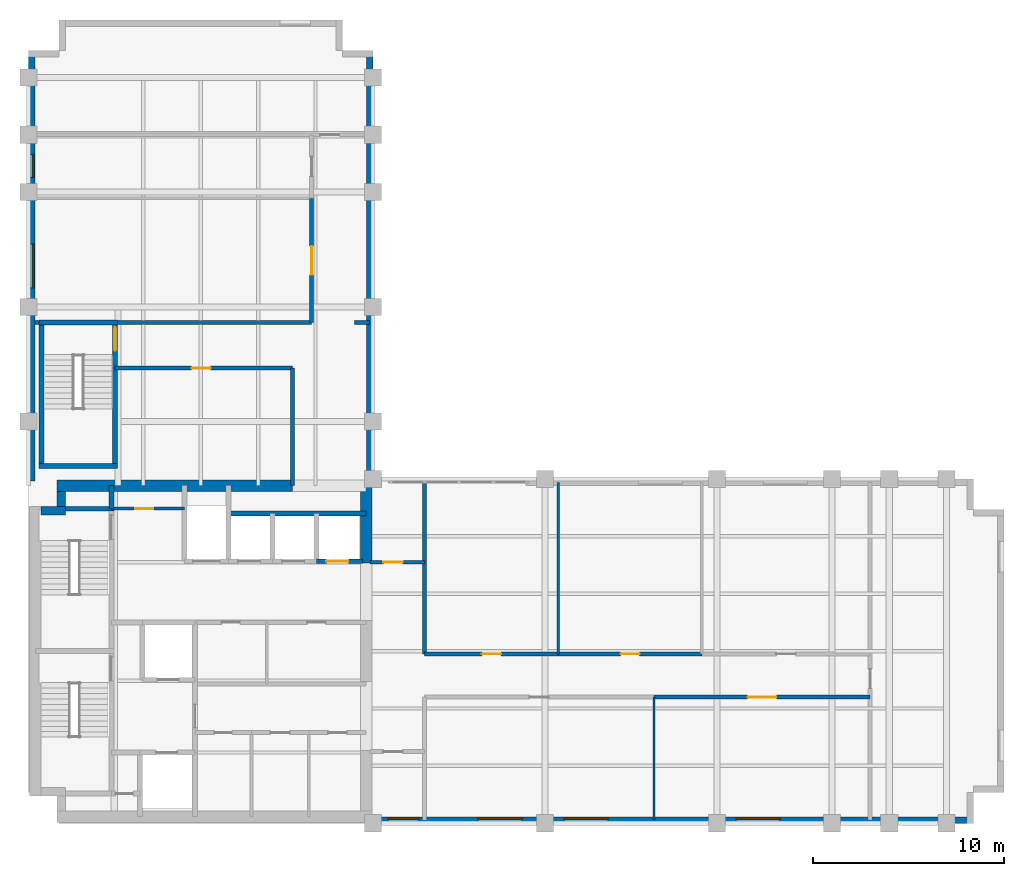
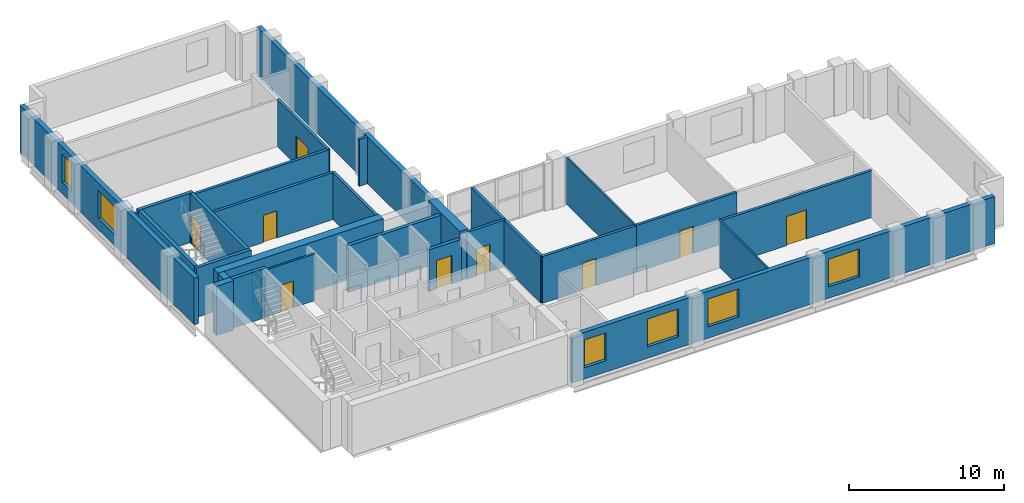
# One storey, part 5 of 7: 29 walls, 9 doors, 6 windows, 15 openings.
"""IFC4 building model written with IfcOpenShell, lengths in metres."""

from ifc_helpers import new_model, si_unit, direction, frame, frame_2d, origin, place, context, subcontext, project, spatial, rectangle, extrude, material, layer, layer_set, type_object, element, fill, save


model = new_model("IFC4")

# Units and contexts
model_context = context("Model", 3, precision=1e-05, world=origin(), true_north=direction((0.0, 1.0)))
body_context = subcontext(model_context, "Body", "Model", "MODEL_VIEW")
ifc_project = project(units=[si_unit("LENGTHUNIT", "METRE"), si_unit("AREAUNIT", "SQUARE_METRE"), si_unit("VOLUMEUNIT", "CUBIC_METRE"), si_unit("PLANEANGLEUNIT", "RADIAN"), si_unit("MASSUNIT", "GRAM", prefix="KILO")], contexts=[model_context])

# Site, building, storey
site_placement = place(None, origin())
site = spatial("IfcSite", under=ifc_project, at=site_placement, CompositionType="ELEMENT")
building_placement = place(site_placement, origin())
building = spatial("IfcBuilding", under=site, at=building_placement, Name="Mawjdan Bourse Tower", CompositionType="ELEMENT")
storey_placement = place(building_placement, frame((0.0, 0.0, 172.199951171875)))
storey = spatial("IfcBuildingStorey", under=building, at=storey_placement, Name="L41", CompositionType="ELEMENT", Elevation=172.199951171875)

# Wall, openings, windows
ifc_material_1 = material(Name="Brick Masonry Buff", Category="masonry")
ifc_layer_1 = layer(ifc_material_1, 0.340087890625)
ifc_layer_set_1 = layer_set([ifc_layer_1], Name="Brick Masonry Buff")
wall_type_1 = type_object("IfcWallType", Name="WL-BRK-SPN-340", PredefinedType="STANDARD", material=ifc_layer_set_1)
wall_1_placement = place(storey_placement, frame((23.89990234375, 3.169921875, 0.0), z_axis=(0.0, 0.0, 1.0), x_axis=(1.0, 0.0, 0.0)))
wall_1 = element("IfcWall", 1, at=wall_1_placement, inside=storey, type_object=wall_type_1, Name="L41 Exterior Brick Wall 1", PredefinedType="STANDARD", context=body_context, shape_type="SweptSolid", body=[
    extrude(rectangle(XDim=31.5, YDim=0.340087890625, at=frame_2d((15.75, 0.0))), origin(), (0.0, 0.0, 1.0), 3.699951171875),
])
opening_1_placement = place(wall_1_placement, frame((5.60009765625, 0.0, 0.89990234375)))
opening_1 = element("IfcOpeningElement", 2, at=opening_1_placement, cuts=wall_1, Name="Opening W-L41-01", PredefinedType="OPENING", context=body_context, shape_type="SweptSolid", body=[
    extrude(rectangle(XDim=2.300048828125, YDim=2.199951171875, at=frame_2d((1.14990234375, 1.10009765625))), frame((0.0, 0.18017578125, 0.0), z_axis=(0.0, -1.0, 0.0), x_axis=(1.0, 0.0, 0.0)), (0.0, 0.0, 1.0), 0.360107421875),
])
opening_2_placement = place(wall_1_placement, frame((10.10009765625, 0.0, 0.89990234375)))
opening_2 = element("IfcOpeningElement", 3, at=opening_2_placement, cuts=wall_1, Name="Opening W-L41-02", PredefinedType="OPENING", context=body_context, shape_type="SweptSolid", body=[
    extrude(rectangle(XDim=2.300048828125, YDim=2.199951171875, at=frame_2d((1.14990234375, 1.10009765625))), frame((0.0, 0.18017578125, 0.0), z_axis=(0.0, -1.0, 0.0), x_axis=(1.0, 0.0, 0.0)), (0.0, 0.0, 1.0), 0.360107421875),
])
opening_3_placement = place(wall_1_placement, frame((19.10009765625, 0.0, 0.89990234375)))
opening_3 = element("IfcOpeningElement", 4, at=opening_3_placement, cuts=wall_1, Name="Opening W-L41-03", PredefinedType="OPENING", context=body_context, shape_type="SweptSolid", body=[
    extrude(rectangle(XDim=2.300048828125, YDim=2.199951171875, at=frame_2d((1.14990234375, 1.10009765625))), frame((0.0, 0.18017578125, 0.0), z_axis=(0.0, -1.0, 0.0), x_axis=(1.0, 0.0, 0.0)), (0.0, 0.0, 1.0), 0.360107421875),
])
opening_4_placement = place(wall_1_placement, frame((0.89990234375, 0.0, 0.89990234375)))
opening_4 = element("IfcOpeningElement", 5, at=opening_4_placement, cuts=wall_1, Name="Opening W-L41-09", PredefinedType="OPENING", context=body_context, shape_type="SweptSolid", body=[
    extrude(rectangle(XDim=1.60009765625, YDim=2.199951171875, at=frame_2d((0.800048828125, 1.10009765625))), frame((0.0, 0.18017578125, 0.0), z_axis=(0.0, -1.0, 0.0), x_axis=(1.0, 0.0, 0.0)), (0.0, 0.0, 1.0), 0.360107421875),
])
ifc_material_2 = material(Name="Solar-Control Clear Double Glazing", Category="glass")
window_type_1 = type_object("IfcWindowType", Name="WN-Z3-1600", PartitioningType="SINGLE_PANEL", PredefinedType="WINDOW", material=ifc_material_2)
window_1_placement = place(opening_4_placement, origin())
window_1 = element("IfcWindow", 6, at=window_1_placement, inside=storey, type_object=window_type_1, Name="L41 Deep-Set Masonry Window W-L41-09", OverallHeight=2.199951171875, OverallWidth=1.60009765625, PartitioningType="SINGLE_PANEL", PredefinedType="WINDOW", context=body_context, shape_type="SweptSolid", body=[
    extrude(rectangle(XDim=1.60009765625, YDim=2.199951171875, at=frame_2d((0.800048828125, 1.10009765625))), frame((0.0, 0.110107421875, 0.0), z_axis=(0.0, -1.0, 0.0), x_axis=(1.0, 0.0, 0.0)), (0.0, 0.0, 1.0), 0.06005859375),
])
fill(opening_4, window_1)
window_type_2 = type_object("IfcWindowType", Name="WN-Z3-2300", PartitioningType="SINGLE_PANEL", PredefinedType="WINDOW", material=ifc_material_2)
window_2_placement = place(opening_1_placement, origin())
window_2 = element("IfcWindow", 7, at=window_2_placement, inside=storey, type_object=window_type_2, Name="L41 Deep-Set Masonry Window W-L41-01", OverallHeight=2.199951171875, OverallWidth=2.300048828125, PartitioningType="SINGLE_PANEL", PredefinedType="WINDOW", context=body_context, shape_type="SweptSolid", body=[
    extrude(rectangle(XDim=2.300048828125, YDim=2.199951171875, at=frame_2d((1.14990234375, 1.10009765625))), frame((0.0, 0.110107421875, 0.0), z_axis=(0.0, -1.0, 0.0), x_axis=(1.0, 0.0, 0.0)), (0.0, 0.0, 1.0), 0.06005859375),
])
fill(opening_1, window_2)
window_3_placement = place(opening_2_placement, origin())
window_3 = element("IfcWindow", 8, at=window_3_placement, inside=storey, type_object=window_type_2, Name="L41 Deep-Set Masonry Window W-L41-02", OverallHeight=2.199951171875, OverallWidth=2.300048828125, PartitioningType="SINGLE_PANEL", PredefinedType="WINDOW", context=body_context, shape_type="SweptSolid", body=[
    extrude(rectangle(XDim=2.300048828125, YDim=2.199951171875, at=frame_2d((1.14990234375, 1.10009765625))), frame((0.0, 0.110107421875, 0.0), z_axis=(0.0, -1.0, 0.0), x_axis=(1.0, 0.0, 0.0)), (0.0, 0.0, 1.0), 0.06005859375),
])
fill(opening_2, window_3)
window_4_placement = place(opening_3_placement, origin())
window_4 = element("IfcWindow", 9, at=window_4_placement, inside=storey, type_object=window_type_2, Name="L41 Deep-Set Masonry Window W-L41-03", OverallHeight=2.199951171875, OverallWidth=2.300048828125, PartitioningType="SINGLE_PANEL", PredefinedType="WINDOW", context=body_context, shape_type="SweptSolid", body=[
    extrude(rectangle(XDim=2.300048828125, YDim=2.199951171875, at=frame_2d((1.14990234375, 1.10009765625))), frame((0.0, 0.110107421875, 0.0), z_axis=(0.0, -1.0, 0.0), x_axis=(1.0, 0.0, 0.0)), (0.0, 0.0, 1.0), 0.06005859375),
])
fill(opening_3, window_4)

# Wall
wall_2_placement = place(storey_placement, frame((23.830078125, 21.0, 0.0), z_axis=(0.0, 0.0, 1.0), x_axis=(0.0, 1.0, 0.0)))
element("IfcWall", 10, at=wall_2_placement, inside=storey, type_object=wall_type_1, Name="L41 Exterior Brick Wall 8", PredefinedType="STANDARD", context=body_context, shape_type="SweptSolid", body=[
    extrude(rectangle(XDim=22.39990234375, YDim=0.340087890625, at=frame_2d((11.199951171875, 0.0))), origin(), (0.0, 0.0, 1.0), 3.699951171875),
])

# Wall, openings, windows
wall_3_placement = place(storey_placement, frame((6.169921875, 43.39990234375, 0.0), z_axis=(0.0, 0.0, 1.0), x_axis=(0.0, -1.0, 0.0)))
wall_3 = element("IfcWall", 11, at=wall_3_placement, inside=storey, type_object=wall_type_1, Name="L41 Exterior Brick Wall 14", PredefinedType="STANDARD", context=body_context, shape_type="SweptSolid", body=[
    extrude(rectangle(XDim=22.5, YDim=0.340087890625, at=frame_2d((11.25, 0.0))), origin(), (0.0, 0.0, 1.0), 3.699951171875),
])
opening_5_placement = place(wall_3_placement, frame((10.10009765625, 0.0, 0.89990234375)))
opening_5 = element("IfcOpeningElement", 12, at=opening_5_placement, cuts=wall_3, Name="Opening W-L41-08", PredefinedType="OPENING", context=body_context, shape_type="SweptSolid", body=[
    extrude(rectangle(XDim=2.300048828125, YDim=2.199951171875, at=frame_2d((1.14990234375, 1.10009765625))), frame((0.0, 0.18017578125, 0.0), z_axis=(0.0, -1.0, 0.0), x_axis=(1.0, 0.0, 0.0)), (0.0, 0.0, 1.0), 0.360107421875),
])
opening_6_placement = place(wall_3_placement, frame((5.4248046875, 0.0, 0.89990234375)))
opening_6 = element("IfcOpeningElement", 13, at=opening_6_placement, cuts=wall_3, Name="Opening W-L41-11", PredefinedType="OPENING", context=body_context, shape_type="SweptSolid", body=[
    extrude(rectangle(XDim=1.199951171875, YDim=2.199951171875, at=frame_2d((0.60009765625, 1.10009765625))), frame((0.0, 0.18017578125, 0.0), z_axis=(0.0, -1.0, 0.0), x_axis=(1.0, 0.0, 0.0)), (0.0, 0.0, 1.0), 0.360107421875),
])
window_type_3 = type_object("IfcWindowType", Name="WN-Z3-1200", PartitioningType="SINGLE_PANEL", PredefinedType="WINDOW", material=ifc_material_2)
window_5_placement = place(opening_6_placement, origin())
window_5 = element("IfcWindow", 14, at=window_5_placement, inside=storey, type_object=window_type_3, Name="L41 Deep-Set Masonry Window W-L41-11", OverallHeight=2.199951171875, OverallWidth=1.199951171875, PartitioningType="SINGLE_PANEL", PredefinedType="WINDOW", context=body_context, shape_type="SweptSolid", body=[
    extrude(rectangle(XDim=1.199951171875, YDim=2.199951171875, at=frame_2d((0.60009765625, 1.10009765625))), frame((0.0, 0.110107421875, 0.0), z_axis=(0.0, -1.0, 0.0), x_axis=(1.0, 0.0, 0.0)), (0.0, 0.0, 1.0), 0.06005859375),
])
fill(opening_6, window_5)
window_6_placement = place(opening_5_placement, origin())
window_6 = element("IfcWindow", 15, at=window_6_placement, inside=storey, type_object=window_type_2, Name="L41 Deep-Set Masonry Window W-L41-08", OverallHeight=2.199951171875, OverallWidth=2.300048828125, PartitioningType="SINGLE_PANEL", PredefinedType="WINDOW", context=body_context, shape_type="SweptSolid", body=[
    extrude(rectangle(XDim=2.300048828125, YDim=2.199951171875, at=frame_2d((1.14990234375, 1.10009765625))), frame((0.0, 0.110107421875, 0.0), z_axis=(0.0, -1.0, 0.0), x_axis=(1.0, 0.0, 0.0)), (0.0, 0.0, 1.0), 0.06005859375),
])
fill(opening_5, window_6)

# Wall, opening, door
ifc_material_3 = material(Name="Gypsum Fireboard Assembly")
ifc_layer_2 = layer(ifc_material_3, 0.199951171875)
ifc_layer_set_2 = layer_set([ifc_layer_2], Name="Gypsum Fireboard Assembly")
wall_type_2 = type_object("IfcWallType", Name="WL-CMP-200", PredefinedType="PARTITIONING", material=ifc_layer_set_2)
wall_4_placement = place(storey_placement, frame((23.85009765625, 16.64990234375, 0.0), z_axis=(0.0, 0.0, 1.0), x_axis=(1.0, 0.0, 0.0)))
wall_4 = element("IfcWall", 16, at=wall_4_placement, inside=storey, type_object=wall_type_2, Name="L41 West North Pocket Wall", PredefinedType="PARTITIONING", context=body_context, shape_type="SweptSolid", body=[
    extrude(rectangle(XDim=2.849853515625, YDim=0.199951171875, at=frame_2d((1.4248046875, 0.0))), origin(), (0.0, 0.0, 1.0), 3.68994140625),
])
opening_7_placement = place(wall_4_placement, frame((0.699951171875, 0.0, 0.0)))
opening_7 = element("IfcOpeningElement", 17, at=opening_7_placement, cuts=wall_4, Name="Opening D-L41-21", PredefinedType="OPENING", context=body_context, shape_type="SweptSolid", body=[
    extrude(rectangle(XDim=1.0, YDim=2.14990234375, at=frame_2d((0.5, 1.074951171875))), frame((0.0, 0.10986328125, 0.0), z_axis=(0.0, -1.0, 0.0), x_axis=(1.0, 0.0, 0.0)), (0.0, 0.0, 1.0), 0.219970703125),
])
ifc_material_4 = material(Name="Hardwood Acoustic Leaf", Category="wood")
door_type_1 = type_object("IfcDoorType", Name="DR-OFC-1000", OperationType="NOTDEFINED", PredefinedType="DOOR", material=ifc_material_4)
door_1_placement = place(opening_7_placement, origin())
door_1 = element("IfcDoor", 18, at=door_1_placement, inside=storey, type_object=door_type_1, Name="L41 West North Pocket Door D-L41-21", OperationType="SINGLE_SWING_RIGHT", OverallHeight=2.14990234375, OverallWidth=1.0, PredefinedType="DOOR", context=body_context, shape_type="SweptSolid", body=[
    extrude(rectangle(XDim=1.0, YDim=2.14990234375, at=frame_2d((0.5, 1.074951171875))), frame((0.0, 0.02490234375, 0.0), z_axis=(0.0, -1.0, 0.0), x_axis=(1.0, 0.0, 0.0)), (0.0, 0.0, 1.0), 0.050048828125),
])
fill(opening_7, door_1)

# Wall
wall_5_placement = place(storey_placement, frame((26.699951171875, 11.85009765625, 0.0), z_axis=(0.0, 0.0, 1.0), x_axis=(0.0, 1.0, 0.0)))
element("IfcWall", 19, at=wall_5_placement, inside=storey, type_object=wall_type_2, Name="L41 Vestibule North East Wall", PredefinedType="PARTITIONING", context=body_context, shape_type="SweptSolid", body=[
    extrude(rectangle(XDim=8.969970703125, YDim=0.199951171875, at=frame_2d((4.48486328125, 0.0))), origin(), (0.0, 0.0, 1.0), 3.68994140625),
])

# Wall, opening, door
wall_6_placement = place(storey_placement, frame((38.699951171875, 9.60009765625, 0.0), z_axis=(0.0, 0.0, 1.0), x_axis=(1.0, 0.0, 0.0)))
wall_6 = element("IfcWall", 20, at=wall_6_placement, inside=storey, type_object=wall_type_2, Name="L41 Conference Room Corridor Wall", PredefinedType="PARTITIONING", context=body_context, shape_type="SweptSolid", body=[
    extrude(rectangle(XDim=11.300048828125, YDim=0.199951171875, at=frame_2d((5.64990234375, 0.0))), origin(), (0.0, 0.0, 1.0), 3.68994140625),
])
opening_8_placement = place(wall_6_placement, frame((4.89990234375, 0.0, 0.0)))
opening_8 = element("IfcOpeningElement", 21, at=opening_8_placement, cuts=wall_6, Name="Opening D-L41-23", PredefinedType="OPENING", context=body_context, shape_type="SweptSolid", body=[
    extrude(rectangle(XDim=1.5, YDim=2.300048828125, at=frame_2d((0.75, 1.14990234375))), frame((0.0, 0.10986328125, 0.0), z_axis=(0.0, -1.0, 0.0), x_axis=(1.0, 0.0, 0.0)), (0.0, 0.0, 1.0), 0.219970703125),
])
ifc_material_5 = material(Name="Acoustic Glazed Timber", Category="wood")
door_type_2 = type_object("IfcDoorType", Name="DR-CNF-1500", OperationType="DOUBLE_DOOR_SINGLE_SWING", PredefinedType="DOOR", material=ifc_material_5)
door_2_placement = place(opening_8_placement, origin())
door_2 = element("IfcDoor", 22, at=door_2_placement, inside=storey, type_object=door_type_2, Name="L41 Conference Room Door D-L41-23", OperationType="DOUBLE_DOOR_SINGLE_SWING", OverallHeight=2.300048828125, OverallWidth=1.5, PredefinedType="DOOR", context=body_context, shape_type="SweptSolid", body=[
    extrude(rectangle(XDim=1.5, YDim=2.300048828125, at=frame_2d((0.75, 1.14990234375))), frame((0.0, 0.02490234375, 0.0), z_axis=(0.0, -1.0, 0.0), x_axis=(1.0, 0.0, 0.0)), (0.0, 0.0, 1.0), 0.050048828125),
])
fill(opening_8, door_2)

wall_7_placement = place(storey_placement, frame((26.699951171875, 11.85009765625, 0.0), z_axis=(0.0, 0.0, 1.0), x_axis=(1.0, 0.0, 0.0)))
wall_7 = element("IfcWall", 23, at=wall_7_placement, inside=storey, type_object=wall_type_2, Name="L41 Executive Office Corridor Wall", PredefinedType="PARTITIONING", context=body_context, shape_type="SweptSolid", body=[
    extrude(rectangle(XDim=7.0, YDim=0.199951171875, at=frame_2d((3.5, 0.0))), origin(), (0.0, 0.0, 1.0), 3.68994140625),
])
opening_9_placement = place(wall_7_placement, frame((3.0, 0.0, 0.0)))
opening_9 = element("IfcOpeningElement", 24, at=opening_9_placement, cuts=wall_7, Name="Opening D-L41-24", PredefinedType="OPENING", context=body_context, shape_type="SweptSolid", body=[
    extrude(rectangle(XDim=1.0, YDim=2.14990234375, at=frame_2d((0.5, 1.074951171875))), frame((0.0, 0.10986328125, 0.0), z_axis=(0.0, -1.0, 0.0), x_axis=(1.0, 0.0, 0.0)), (0.0, 0.0, 1.0), 0.219970703125),
])
door_3_placement = place(opening_9_placement, origin())
door_3 = element("IfcDoor", 25, at=door_3_placement, inside=storey, type_object=door_type_1, Name="L41 Executive Office Door D-L41-24", OperationType="SINGLE_SWING_RIGHT", OverallHeight=2.14990234375, OverallWidth=1.0, PredefinedType="DOOR", context=body_context, shape_type="SweptSolid", body=[
    extrude(rectangle(XDim=1.0, YDim=2.14990234375, at=frame_2d((0.5, 1.074951171875))), frame((0.0, 0.02490234375, 0.0), z_axis=(0.0, -1.0, 0.0), x_axis=(1.0, 0.0, 0.0)), (0.0, 0.0, 1.0), 0.050048828125),
])
fill(opening_9, door_3)

wall_8_placement = place(storey_placement, frame((33.699951171875, 11.85009765625, 0.0), z_axis=(0.0, 0.0, 1.0), x_axis=(1.0, 0.0, 0.0)))
wall_8 = element("IfcWall", 26, at=wall_8_placement, inside=storey, type_object=wall_type_2, Name="L41 Settlement Risk Office Corridor Wall", PredefinedType="PARTITIONING", context=body_context, shape_type="SweptSolid", body=[
    extrude(rectangle(XDim=7.5, YDim=0.199951171875, at=frame_2d((3.75, 0.0))), origin(), (0.0, 0.0, 1.0), 3.68994140625),
])
opening_10_placement = place(wall_8_placement, frame((3.25, 0.0, 0.0)))
opening_10 = element("IfcOpeningElement", 27, at=opening_10_placement, cuts=wall_8, Name="Opening D-L41-25", PredefinedType="OPENING", context=body_context, shape_type="SweptSolid", body=[
    extrude(rectangle(XDim=1.0, YDim=2.14990234375, at=frame_2d((0.5, 1.074951171875))), frame((0.0, 0.10986328125, 0.0), z_axis=(0.0, -1.0, 0.0), x_axis=(1.0, 0.0, 0.0)), (0.0, 0.0, 1.0), 0.219970703125),
])
door_4_placement = place(opening_10_placement, origin())
door_4 = element("IfcDoor", 28, at=door_4_placement, inside=storey, type_object=door_type_1, Name="L41 Settlement Risk Office Door D-L41-25", OperationType="SINGLE_SWING_LEFT", OverallHeight=2.14990234375, OverallWidth=1.0, PredefinedType="DOOR", context=body_context, shape_type="SweptSolid", body=[
    extrude(rectangle(XDim=1.0, YDim=2.14990234375, at=frame_2d((0.5, 1.074951171875))), frame((0.0, 0.02490234375, 0.0), z_axis=(0.0, -1.0, 0.0), x_axis=(1.0, 0.0, 0.0)), (0.0, 0.0, 1.0), 0.050048828125),
])
fill(opening_10, door_4)

wall_9_placement = place(storey_placement, frame((10.52001953125, 26.800048828125, 0.0), z_axis=(0.0, 0.0, 1.0), x_axis=(1.0, 0.0, 0.0)))
wall_9 = element("IfcWall", 29, at=wall_9_placement, inside=storey, type_object=wall_type_2, Name="L41 North Throat North Wall", PredefinedType="PARTITIONING", context=body_context, shape_type="SweptSolid", body=[
    extrude(rectangle(XDim=9.280029296875, YDim=0.199951171875, at=frame_2d((4.64013671875, 0.0))), origin(), (0.0, 0.0, 1.0), 3.68994140625),
])
opening_11_placement = place(wall_9_placement, frame((4.0, 0.0, 0.0)))
opening_11 = element("IfcOpeningElement", 30, at=opening_11_placement, cuts=wall_9, Name="Opening D-L41-28", PredefinedType="OPENING", context=body_context, shape_type="SweptSolid", body=[
    extrude(rectangle(XDim=1.0, YDim=2.14990234375, at=frame_2d((0.5, 1.074951171875))), frame((0.0, 0.10986328125, 0.0), z_axis=(0.0, -1.0, 0.0), x_axis=(1.0, 0.0, 0.0)), (0.0, 0.0, 1.0), 0.219970703125),
])
door_5_placement = place(opening_11_placement, origin())
door_5 = element("IfcDoor", 31, at=door_5_placement, inside=storey, type_object=door_type_1, Name="L41 North Throat Suite Door D-L41-28", OperationType="SINGLE_SWING_RIGHT", OverallHeight=2.14990234375, OverallWidth=1.0, PredefinedType="DOOR", context=body_context, shape_type="SweptSolid", body=[
    extrude(rectangle(XDim=1.0, YDim=2.14990234375, at=frame_2d((0.5, 1.074951171875))), frame((0.0, 0.02490234375, 0.0), z_axis=(0.0, -1.0, 0.0), x_axis=(1.0, 0.0, 0.0)), (0.0, 0.0, 1.0), 0.050048828125),
])
fill(opening_11, door_5)

# Walls
wall_10_placement = place(storey_placement, frame((19.800048828125, 20.64990234375, 0.0), z_axis=(0.0, 0.0, 1.0), x_axis=(0.0, 1.0, 0.0)))
element("IfcWall", 32, at=wall_10_placement, inside=storey, type_object=wall_type_2, Name="L41 North Throat East Wall", PredefinedType="PARTITIONING", context=body_context, shape_type="SweptSolid", body=[
    extrude(rectangle(XDim=6.150146484375, YDim=0.199951171875, at=frame_2d((3.0751953125, 0.0))), origin(), (0.0, 0.0, 1.0), 3.68994140625),
])
wall_11_placement = place(storey_placement, frame((6.340087890625, 29.179931640625, 0.0), z_axis=(0.0, 0.0, 1.0), x_axis=(1.0, 0.0, 0.0)))
element("IfcWall", 33, at=wall_11_placement, inside=storey, type_object=wall_type_2, Name="L41 North West Band ST3 West Return", PredefinedType="PARTITIONING", context=body_context, shape_type="SweptSolid", body=[
    extrude(rectangle(XDim=0.21484375, YDim=0.199951171875, at=frame_2d((0.107421875, 0.0))), origin(), (0.0, 0.0, 1.0), 3.68994140625),
])
wall_12_placement = place(storey_placement, frame((10.6298828125, 29.179931640625, 0.0), z_axis=(0.0, 0.0, 1.0), x_axis=(1.0, 0.0, 0.0)))
element("IfcWall", 34, at=wall_12_placement, inside=storey, type_object=wall_type_2, Name="L41 North West Band South Wall", PredefinedType="PARTITIONING", context=body_context, shape_type="SweptSolid", body=[
    extrude(rectangle(XDim=10.170166015625, YDim=0.199951171875, at=frame_2d((5.0849609375, 0.0))), origin(), (0.0, 0.0, 1.0), 3.68994140625),
])
wall_13_placement = place(storey_placement, frame((23.050048828125, 29.179931640625, 0.0), z_axis=(0.0, 0.0, 1.0), x_axis=(1.0, 0.0, 0.0)))
element("IfcWall", 35, at=wall_13_placement, inside=storey, type_object=wall_type_2, Name="L41 North East Band South Wall", PredefinedType="PARTITIONING", context=body_context, shape_type="SweptSolid", body=[
    extrude(rectangle(XDim=0.77001953125, YDim=0.199951171875, at=frame_2d((0.385009765625, 0.0))), origin(), (0.0, 0.0, 1.0), 3.68994140625),
])

# Wall, opening, door
wall_14_placement = place(storey_placement, frame((20.800048828125, 29.179931640625, 0.0), z_axis=(0.0, 0.0, 1.0), x_axis=(0.0, 1.0, 0.0)))
wall_14 = element("IfcWall", 36, at=wall_14_placement, inside=storey, type_object=wall_type_2, Name="L41 Conference Room Corridor Wall", PredefinedType="PARTITIONING", context=body_context, shape_type="SweptSolid", body=[
    extrude(rectangle(XDim=6.5, YDim=0.199951171875, at=frame_2d((3.25, 0.0))), origin(), (0.0, 0.0, 1.0), 3.68994140625),
])
opening_12_placement = place(wall_14_placement, frame((2.5, 0.0, 0.0)))
opening_12 = element("IfcOpeningElement", 37, at=opening_12_placement, cuts=wall_14, Name="Opening D-L41-29", PredefinedType="OPENING", context=body_context, shape_type="SweptSolid", body=[
    extrude(rectangle(XDim=1.5, YDim=2.300048828125, at=frame_2d((0.75, 1.14990234375))), frame((0.0, 0.10986328125, 0.0), z_axis=(0.0, -1.0, 0.0), x_axis=(1.0, 0.0, 0.0)), (0.0, 0.0, 1.0), 0.219970703125),
])
door_6_placement = place(opening_12_placement, origin())
door_6 = element("IfcDoor", 38, at=door_6_placement, inside=storey, type_object=door_type_2, Name="L41 Conference Room Door D-L41-29", OperationType="DOUBLE_DOOR_SINGLE_SWING", OverallHeight=2.300048828125, OverallWidth=1.5, PredefinedType="DOOR", context=body_context, shape_type="SweptSolid", body=[
    extrude(rectangle(XDim=1.5, YDim=2.300048828125, at=frame_2d((0.75, 1.14990234375))), frame((0.0, 0.02490234375, 0.0), z_axis=(0.0, -1.0, 0.0), x_axis=(1.0, 0.0, 0.0)), (0.0, 0.0, 1.0), 0.050048828125),
])
fill(opening_12, door_6)

# Walls
ifc_material_6 = material(Name="Concrete C60/75", Category="concrete")
ifc_layer_3 = layer(ifc_material_6, 0.449951171875)
ifc_layer_set_3 = layer_set([ifc_layer_3], Name="Concrete C60/75")
wall_type_3 = type_object("IfcWallType", Name="WL-CORE-450", PredefinedType="SHEAR", material=ifc_layer_set_3)
wall_15_placement = place(storey_placement, frame((6.64990234375, 19.35009765625, 0.0), z_axis=(0.0, 0.0, 1.0), x_axis=(1.0, 0.0, 0.0)))
element("IfcWall", 39, at=wall_15_placement, inside=storey, type_object=wall_type_3, Name="L41 Rear Core Shear Wall NW-X", PredefinedType="SHEAR", context=body_context, shape_type="SweptSolid", body=[
    extrude(rectangle(XDim=1.275146484375, YDim=0.449951171875, at=frame_2d((0.6376953125, 0.0))), origin(), (0.0, 0.0, 1.0), 3.900146484375),
])
wall_16_placement = place(storey_placement, frame((7.699951171875, 19.574951171875, 0.0), z_axis=(0.0, 0.0, 1.0), x_axis=(0.0, 1.0, 0.0)))
element("IfcWall", 40, at=wall_16_placement, inside=storey, type_object=wall_type_3, Name="L41 Rear Core Shear Wall NW-Y", PredefinedType="SHEAR", context=body_context, shape_type="SweptSolid", body=[
    extrude(rectangle(XDim=0.775146484375, YDim=0.449951171875, at=frame_2d((0.3876953125, 0.0))), origin(), (0.0, 0.0, 1.0), 3.900146484375),
])
ifc_material_7 = material(Name="Concrete C70/85", Category="concrete")
ifc_layer_4 = layer(ifc_material_7, 0.60009765625)
ifc_layer_set_4 = layer_set([ifc_layer_4], Name="Concrete C70/85")
wall_type_4 = type_object("IfcWallType", Name="WL-CORE-600", PredefinedType="SHEAR", material=ifc_layer_set_4)
wall_17_placement = place(storey_placement, frame((7.47509765625, 20.64990234375, 0.0), z_axis=(0.0, 0.0, 1.0), x_axis=(1.0, 0.0, 0.0)))
element("IfcWall", 41, at=wall_17_placement, inside=storey, type_object=wall_type_4, Name="L41 Rear Core Shear Wall N", PredefinedType="SHEAR", context=body_context, shape_type="SweptSolid", body=[
    extrude(rectangle(XDim=12.324951171875, YDim=0.60009765625, at=frame_2d((6.16259765625, 0.0))), origin(), (0.0, 0.0, 1.0), 3.900146484375),
])
wall_18_placement = place(storey_placement, frame((23.64990234375, 16.60009765625, 0.0), z_axis=(0.0, 0.0, 1.0), x_axis=(0.0, 1.0, 0.0)))
element("IfcWall", 42, at=wall_18_placement, inside=storey, type_object=wall_type_4, Name="L41 Rear Core Shear Wall E3", PredefinedType="SHEAR", context=body_context, shape_type="SweptSolid", body=[
    extrude(rectangle(XDim=4.0498046875, YDim=0.60009765625, at=frame_2d((2.02490234375, 0.0))), origin(), (0.0, 0.0, 1.0), 3.900146484375),
])
ifc_material_8 = material(Name="Gypsum Partition")
ifc_layer_5 = layer(ifc_material_8, 0.125)
ifc_layer_set_5 = layer_set([ifc_layer_5], Name="Gypsum Partition")
wall_type_5 = type_object("IfcWallType", Name="WL-PRT-125", PredefinedType="PARTITIONING", material=ifc_layer_set_5)
wall_19_placement = place(storey_placement, frame((38.699951171875, 3.179931640625, 0.0), z_axis=(0.0, 0.0, 1.0), x_axis=(0.0, 1.0, 0.0)))
element("IfcWall", 43, at=wall_19_placement, inside=storey, type_object=wall_type_5, Name="L41 Conference Room Partition", PredefinedType="PARTITIONING", context=body_context, shape_type="SweptSolid", body=[
    extrude(rectangle(XDim=6.420166015625, YDim=0.125, at=frame_2d((3.2099609375, 0.0))), origin(), (0.0, 0.0, 1.0), 3.68994140625),
])
wall_20_placement = place(storey_placement, frame((33.699951171875, 11.85009765625, 0.0), z_axis=(0.0, 0.0, 1.0), x_axis=(0.0, 1.0, 0.0)))
element("IfcWall", 44, at=wall_20_placement, inside=storey, type_object=wall_type_5, Name="L41 Settlement Risk Office Partition", PredefinedType="PARTITIONING", context=body_context, shape_type="SweptSolid", body=[
    extrude(rectangle(XDim=8.969970703125, YDim=0.125, at=frame_2d((4.48486328125, 0.0))), origin(), (0.0, 0.0, 1.0), 3.68994140625),
])

# Wall, opening, door
ifc_material_9 = material(Name="Gypsum Acoustic Partition")
ifc_layer_6 = layer(ifc_material_9, 0.14990234375)
ifc_layer_set_6 = layer_set([ifc_layer_6], Name="Gypsum Acoustic Partition")
wall_type_6 = type_object("IfcWallType", Name="WL-PRT-150", PredefinedType="PARTITIONING", material=ifc_layer_set_6)
wall_21_placement = place(storey_placement, frame((10.330078125, 19.449951171875, 0.0), z_axis=(0.0, 0.0, 1.0), x_axis=(1.0, 0.0, 0.0)))
wall_21 = element("IfcWall", 45, at=wall_21_placement, inside=storey, type_object=wall_type_6, Name="L41 Housekeeping South Wall", PredefinedType="PARTITIONING", context=body_context, shape_type="SweptSolid", body=[
    extrude(rectangle(XDim=3.81982421875, YDim=0.14990234375, at=frame_2d((1.909912109375, 0.0))), origin(), (0.0, 0.0, 1.0), 3.68994140625),
])
opening_13_placement = place(wall_21_placement, frame((1.25, 0.0, 0.0)))
opening_13 = element("IfcOpeningElement", 46, at=opening_13_placement, cuts=wall_21, Name="Opening D-L41-18", PredefinedType="OPENING", context=body_context, shape_type="SweptSolid", body=[
    extrude(rectangle(XDim=0.949951171875, YDim=2.10009765625, at=frame_2d((0.47509765625, 1.050048828125))), frame((0.0, 0.0849609375, 0.0), z_axis=(0.0, -1.0, 0.0), x_axis=(1.0, 0.0, 0.0)), (0.0, 0.0, 1.0), 0.169921875),
])
ifc_material_10 = material(Name="Moisture-Resistant Laminate Timber", Category="wood")
door_type_3 = type_object("IfcDoorType", Name="DR-WET-0950", OperationType="NOTDEFINED", PredefinedType="DOOR", material=ifc_material_10)
door_7_placement = place(opening_13_placement, origin())
door_7 = element("IfcDoor", 47, at=door_7_placement, inside=storey, type_object=door_type_3, Name="L41 Housekeeping Closet Door D-L41-18", OperationType="SINGLE_SWING_LEFT", OverallHeight=2.10009765625, OverallWidth=0.949951171875, PredefinedType="DOOR", context=body_context, shape_type="SweptSolid", body=[
    extrude(rectangle(XDim=0.949951171875, YDim=2.10009765625, at=frame_2d((0.47509765625, 1.050048828125))), frame((0.0, 0.02490234375, 0.0), z_axis=(0.0, -1.0, 0.0), x_axis=(1.0, 0.0, 0.0)), (0.0, 0.0, 1.0), 0.050048828125),
])
fill(opening_13, door_7)

# Wall
ifc_material_11 = material(Name="Concrete C50/60", Category="concrete")
ifc_layer_7 = layer(ifc_material_11, 0.25)
ifc_layer_set_7 = layer_set([ifc_layer_7], Name="Concrete C50/60")
wall_type_7 = type_object("IfcWallType", Name="WL-SHFT-250", PredefinedType="PARTITIONING", material=ifc_layer_set_7)
wall_22_placement = place(storey_placement, frame((10.330078125, 19.449951171875, 0.0), z_axis=(0.0, 0.0, 1.0), x_axis=(0.0, 1.0, 0.0)))
element("IfcWall", 48, at=wall_22_placement, inside=storey, type_object=wall_type_7, Name="L41 NW Riser East Wall", PredefinedType="PARTITIONING", context=body_context, shape_type="SweptSolid", body=[
    extrude(rectangle(XDim=1.199951171875, YDim=0.25, at=frame_2d((0.60009765625, 0.0))), origin(), (0.0, 0.0, 1.0), 3.072998046875),
])

# Wall, opening, door
wall_23_placement = place(storey_placement, frame((21.050048828125, 16.699951171875, 0.0), z_axis=(0.0, 0.0, 1.0), x_axis=(1.0, 0.0, 0.0)))
wall_23 = element("IfcWall", 49, at=wall_23_placement, inside=storey, type_object=wall_type_7, Name="L41 PH-03 Front Wall", PredefinedType="PARTITIONING", context=body_context, shape_type="SweptSolid", body=[
    extrude(rectangle(XDim=2.39990234375, YDim=0.25, at=frame_2d((1.199951171875, 0.0))), origin(), (0.0, 0.0, 1.0), 3.282958984375),
])
opening_14_placement = place(wall_23_placement, frame((0.52001953125, 0.0, 0.0)))
opening_14 = element("IfcOpeningElement", 50, at=opening_14_placement, cuts=wall_23, Name="Opening LD-L41-12", PredefinedType="OPENING", context=body_context, shape_type="SweptSolid", body=[
    extrude(rectangle(XDim=1.14990234375, YDim=2.25, at=frame_2d((0.574951171875, 1.125))), frame((0.0, 0.135009765625, 0.0), z_axis=(0.0, -1.0, 0.0), x_axis=(1.0, 0.0, 0.0)), (0.0, 0.0, 1.0), 0.27001953125),
])
ifc_material_12 = material(Name="Brushed Stainless Steel", Category="steel")
door_type_4 = type_object("IfcDoorType", Name="LD-PAS-1150", OperationType="DOUBLE_DOOR_SLIDING", PredefinedType="DOOR", material=ifc_material_12)
door_8_placement = place(opening_14_placement, origin())
door_8 = element("IfcDoor", 51, at=door_8_placement, inside=storey, type_object=door_type_4, Name="L41 Lift PH-03 Landing Door LD-L41-12", OperationType="DOUBLE_DOOR_SLIDING", OverallHeight=2.25, OverallWidth=1.14990234375, PredefinedType="DOOR", context=body_context, shape_type="SweptSolid", body=[
    extrude(rectangle(XDim=1.14990234375, YDim=2.25, at=frame_2d((0.574951171875, 1.125))), frame((0.0, 0.02490234375, 0.0), z_axis=(0.0, -1.0, 0.0), x_axis=(1.0, 0.0, 0.0)), (0.0, 0.0, 1.0), 0.050048828125),
])
fill(opening_14, door_8)

# Walls
wall_24_placement = place(storey_placement, frame((16.449951171875, 19.199951171875, 0.0), z_axis=(0.0, 0.0, 1.0), x_axis=(1.0, 0.0, 0.0)))
element("IfcWall", 52, at=wall_24_placement, inside=storey, type_object=wall_type_7, Name="L41 PH Bank North Shaft Back Wall", PredefinedType="PARTITIONING", context=body_context, shape_type="SweptSolid", body=[
    extrude(rectangle(XDim=7.199951171875, YDim=0.25, at=frame_2d((3.60009765625, 0.0))), origin(), (0.0, 0.0, 1.0), 3.68994140625),
])
ifc_layer_8 = layer(ifc_material_11, 0.25)
ifc_layer_set_8 = layer_set([ifc_layer_8], Name="Concrete C50/60")
wall_type_8 = type_object("IfcWallType", Name="WL-STRW-250", PredefinedType="SHEAR", material=ifc_layer_set_8)
wall_25_placement = place(storey_placement, frame((7.699951171875, 19.449951171875, 0.0), z_axis=(0.0, 0.0, 1.0), x_axis=(1.0, 0.0, 0.0)))
element("IfcWall", 53, at=wall_25_placement, inside=storey, type_object=wall_type_8, Name="L41 Stairwell ST2 North Shaft Wall", PredefinedType="SHEAR", context=body_context, shape_type="SweptSolid", body=[
    extrude(rectangle(XDim=2.755126953125, YDim=0.25, at=frame_2d((1.37744140625, 0.0))), origin(), (0.0, 0.0, 1.0), 3.900146484375),
])
for number, where, z_axis, x_axis, name in (
    (54, (6.554931640625, 21.679931640625, 0.0), (0.0, 0.0, 1.0), (1.0, 0.0, 0.0), "L41 ST3 South Shaft Wall"),
    (55, (6.554931640625, 29.179931640625, 0.0), (0.0, 0.0, 1.0), (1.0, 0.0, 0.0), "L41 ST3 North Shaft Wall"),
):
    element("IfcWall", number, at=place(storey_placement, frame(where, z_axis=z_axis, x_axis=x_axis)), inside=storey, type_object=wall_type_8, Name=name, PredefinedType="SHEAR", context=body_context, shape_type="SweptSolid", body=[
        extrude(rectangle(XDim=4.090087890625, YDim=0.25, at=frame_2d((2.044921875, 0.0))), origin(), (0.0, 0.0, 1.0), 3.900146484375),
    ])
wall_26_placement = place(storey_placement, frame((6.679931640625, 21.679931640625, 0.0), z_axis=(0.0, 0.0, 1.0), x_axis=(0.0, 1.0, 0.0)))
element("IfcWall", 56, at=wall_26_placement, inside=storey, type_object=wall_type_8, Name="L41 ST3 West Shaft Wall", PredefinedType="SHEAR", context=body_context, shape_type="SweptSolid", body=[
    extrude(rectangle(XDim=7.5, YDim=0.25, at=frame_2d((3.75, 0.0))), origin(), (0.0, 0.0, 1.0), 3.900146484375),
])

# Wall, opening, door
wall_27_placement = place(storey_placement, frame((10.52001953125, 21.679931640625, 0.0), z_axis=(0.0, 0.0, 1.0), x_axis=(0.0, 1.0, 0.0)))
wall_27 = element("IfcWall", 57, at=wall_27_placement, inside=storey, type_object=wall_type_8, Name="L41 ST3 East Shaft Wall", PredefinedType="SHEAR", context=body_context, shape_type="SweptSolid", body=[
    extrude(rectangle(XDim=7.5, YDim=0.25, at=frame_2d((3.75, 0.0))), origin(), (0.0, 0.0, 1.0), 3.900146484375),
])
opening_15_placement = place(wall_27_placement, frame((6.02001953125, 0.0, 0.0)))
opening_15 = element("IfcOpeningElement", 58, at=opening_15_placement, cuts=wall_27, Name="Opening SD-L41-19", PredefinedType="OPENING", context=body_context, shape_type="SweptSolid", body=[
    extrude(rectangle(XDim=1.25, YDim=2.199951171875, at=frame_2d((0.625, 1.10009765625))), frame((0.0, 0.135009765625, 0.0), z_axis=(0.0, -1.0, 0.0), x_axis=(1.0, 0.0, 0.0)), (0.0, 0.0, 1.0), 0.27001953125),
])
ifc_material_13 = material(Name="Fire-Rated Steel Leaf", Category="steel")
door_type_5 = type_object("IfcDoorType", Name="FD-ST-1250", OperationType="NOTDEFINED", PredefinedType="DOOR", material=ifc_material_13)
door_9_placement = place(opening_15_placement, origin())
door_9 = element("IfcDoor", 59, at=door_9_placement, inside=storey, type_object=door_type_5, Name="L41 Stair ST3 Fire Door SD-L41-19", OperationType="SINGLE_SWING_RIGHT", OverallHeight=2.199951171875, OverallWidth=1.25, PredefinedType="DOOR", context=body_context, shape_type="SweptSolid", body=[
    extrude(rectangle(XDim=1.25, YDim=2.199951171875, at=frame_2d((0.625, 1.10009765625))), frame((0.0, 0.02490234375, 0.0), z_axis=(0.0, -1.0, 0.0), x_axis=(1.0, 0.0, 0.0)), (0.0, 0.0, 1.0), 0.050048828125),
])
fill(opening_15, door_9)

save(model, "model.ifc")
